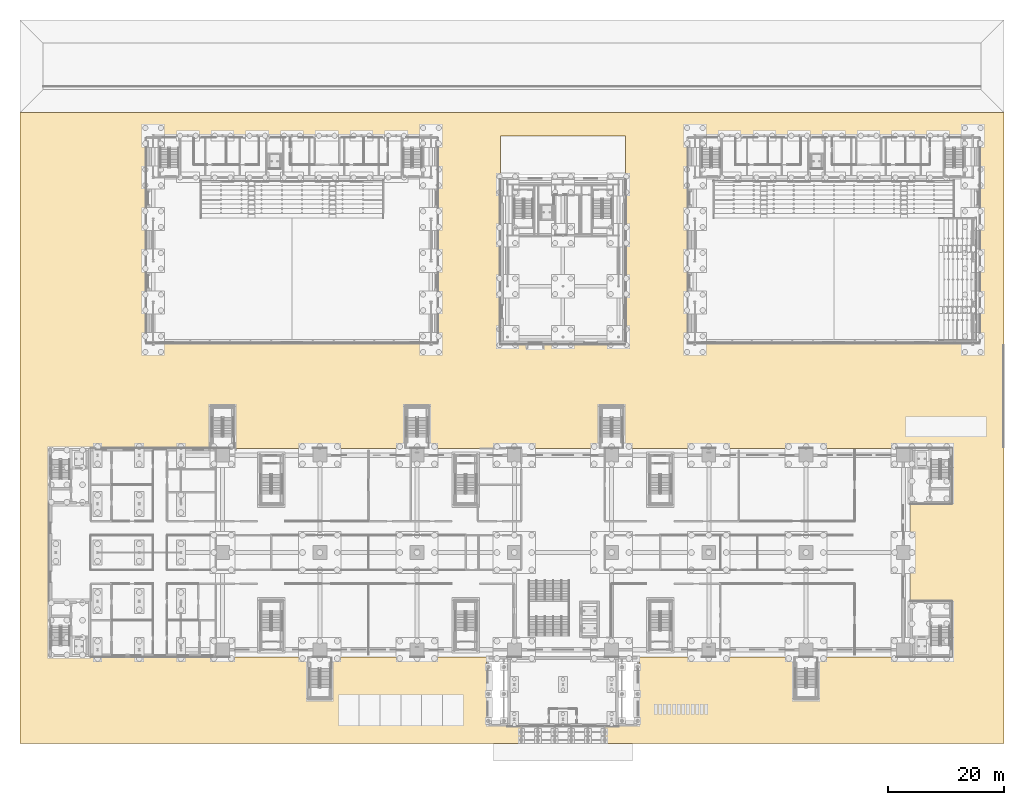
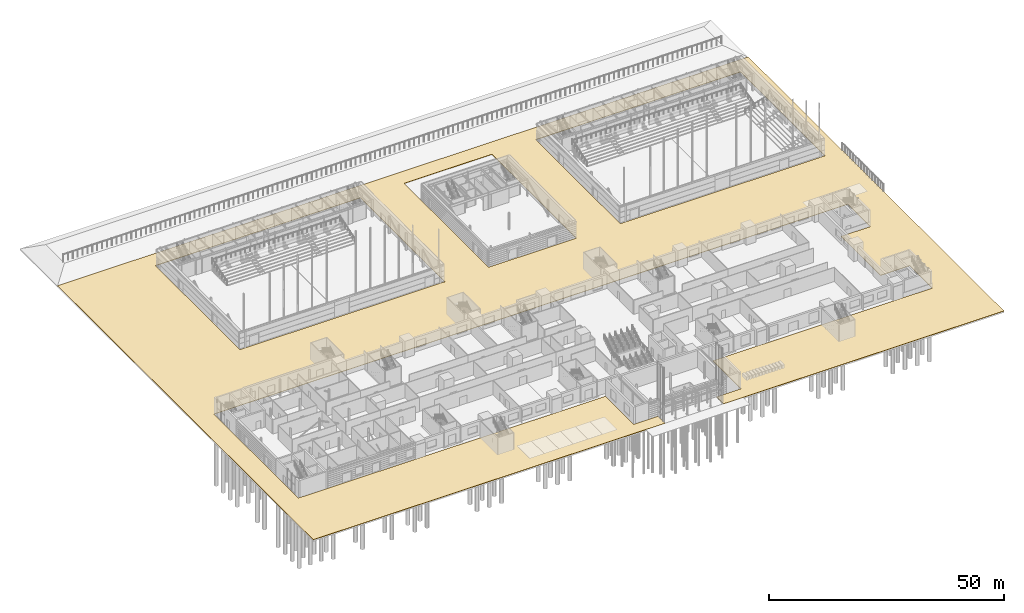
# One storey, part 120 of 139: 1 covering.
"""IFC4 building model written with IfcOpenShell, lengths in metres."""

from ifc_helpers import new_model, si_unit, direction, frame, origin, place, context, subcontext, project, spatial, polyline, outline, extrude, material, layer, layer_set, type_object, element, save


model = new_model("IFC4")

# Units and contexts
model_context = context("Model", 3, precision=1e-05, world=origin(), true_north=direction((0.0, 1.0)))
body_context = subcontext(model_context, "Body", "Model", "MODEL_VIEW")
ifc_project = project(units=[si_unit("LENGTHUNIT", "METRE"), si_unit("AREAUNIT", "SQUARE_METRE"), si_unit("VOLUMEUNIT", "CUBIC_METRE"), si_unit("PLANEANGLEUNIT", "RADIAN"), si_unit("MASSUNIT", "GRAM", prefix="KILO")], contexts=[model_context])

# Site, building, storey
site_placement = place(None, origin())
site = spatial("IfcSite", under=ifc_project, at=site_placement, CompositionType="ELEMENT")
building_placement = place(site_placement, origin())
building = spatial("IfcBuilding", under=site, at=building_placement, Name="Verrick Yard Athletic Hall", CompositionType="ELEMENT")
storey_placement = place(building_placement, origin())
storey = spatial("IfcBuildingStorey", under=building, at=storey_placement, Name="L00", CompositionType="ELEMENT", Elevation=0.0)

# Covering
ifc_material = material(Name="Concrete paving 35 MPa", Category="concrete")
ifc_layer = layer(ifc_material, 0.10009765625)
ifc_layer_set = layer_set([ifc_layer], Name="Site paving")
covering_type = type_object("IfcCoveringType", Name="Site paving", PredefinedType="USERDEFINED", material=ifc_layer_set)
covering_placement = place(storey_placement, frame((0.0, 0.0, -0.10009765625)))
element("IfcCovering", 1, at=covering_placement, inside=storey, type_object=covering_type, Name="Yard and site paving", ObjectType="PAVING", PredefinedType="USERDEFINED", context=body_context, shape_type="SweptSolid", body=[
    extrude(outline(polyline([(9.990478515625, 17.9970703125), (9.99072265625, 17.99609375), (9.9912109375, 17.995361328125), (9.99169921875, 17.994384765625), (9.9921875, 17.99365234375), (9.992919921875, 17.992919921875), (9.99365234375, 17.9921875), (9.994384765625, 17.99169921875), (9.995361328125, 17.9912109375), (9.99609375, 17.99072265625), (9.9970703125, 17.990478515625), (9.998046875, 17.990234375), (9.9990234375, 17.989990234375), (10.0, 17.989990234375), (85.590087890625, 17.989990234375), (85.590087890625, 6.0), (85.590087890625, 5.9990234375), (85.590087890625, 5.998046875), (85.59033203125, 5.9970703125), (85.5908203125, 5.99609375), (85.59130859375, 5.995361328125), (85.591796875, 5.994384765625), (85.59228515625, 5.99365234375), (85.593017578125, 5.992919921875), (85.59375, 5.9921875), (85.594482421875, 5.99169921875), (85.59521484375, 5.9912109375), (85.59619140625, 5.99072265625), (85.59716796875, 5.990478515625), (85.597900390625, 5.990234375), (85.59912109375, 5.989990234375), (85.60009765625, 5.989990234375), (91.590087890625, 5.989990234375), (91.590087890625, 3.0), (5.0, 3.0), (5.0, 112.0), (175.0, 112.0), (175.0, 3.0), (106.010009765625, 3.0), (106.010009765625, 5.989990234375), (112.0, 5.989990234375), (112.0009765625, 5.989990234375), (112.001953125, 5.990234375), (112.0029296875, 5.990478515625), (112.00390625, 5.99072265625), (112.004638671875, 5.9912109375), (112.005615234375, 5.99169921875), (112.00634765625, 5.9921875), (112.007080078125, 5.992919921875), (112.0078125, 5.99365234375), (112.00830078125, 5.994384765625), (112.0087890625, 5.995361328125), (112.00927734375, 5.99609375), (112.009521484375, 5.9970703125), (112.009765625, 5.998046875), (112.010009765625, 5.9990234375), (112.010009765625, 6.0), (112.010009765625, 17.989990234375), (166.0, 17.989990234375), (166.0009765625, 17.989990234375), (166.001953125, 17.990234375), (166.0029296875, 17.990478515625), (166.00390625, 17.99072265625), (166.004638671875, 17.9912109375), (166.005615234375, 17.99169921875), (166.00634765625, 17.9921875), (166.007080078125, 17.992919921875), (166.0078125, 17.99365234375), (166.00830078125, 17.994384765625), (166.0087890625, 17.995361328125), (166.00927734375, 17.99609375), (166.009521484375, 17.9970703125), (166.009765625, 17.998046875), (166.010009765625, 17.9990234375), (166.010009765625, 18.0), (166.010009765625, 27.60009765625), (166.010009765625, 27.60107421875), (166.009765625, 27.60205078125), (166.009521484375, 27.602783203125), (166.00927734375, 27.603759765625), (166.0087890625, 27.604736328125), (166.00830078125, 27.605712890625), (166.0078125, 27.606201171875), (166.007080078125, 27.607177734375), (166.00634765625, 27.607666015625), (166.005615234375, 27.6083984375), (166.004638671875, 27.60888671875), (166.00390625, 27.609130859375), (166.0029296875, 27.609619140625), (166.001953125, 27.60986328125), (166.0009765625, 27.610107421875), (166.0, 27.610107421875), (158.81005859375, 27.610107421875), (158.81005859375, 44.389892578125), (166.0, 44.389892578125), (166.0009765625, 44.389892578125), (166.001953125, 44.39013671875), (166.0029296875, 44.390380859375), (166.00390625, 44.390869140625), (166.004638671875, 44.39111328125), (166.005615234375, 44.3916015625), (166.00634765625, 44.392333984375), (166.007080078125, 44.392822265625), (166.0078125, 44.393798828125), (166.00830078125, 44.394287109375), (166.0087890625, 44.395263671875), (166.00927734375, 44.396240234375), (166.009521484375, 44.397216796875), (166.009765625, 44.39794921875), (166.010009765625, 44.39892578125), (166.010009765625, 44.39990234375), (166.010009765625, 54.0), (166.010009765625, 54.0009765625), (166.009765625, 54.001953125), (166.009521484375, 54.0029296875), (166.00927734375, 54.00390625), (166.0087890625, 54.004638671875), (166.00830078125, 54.005615234375), (166.0078125, 54.00634765625), (166.007080078125, 54.007080078125), (166.00634765625, 54.0078125), (166.005615234375, 54.00830078125), (166.004638671875, 54.0087890625), (166.00390625, 54.00927734375), (166.0029296875, 54.009521484375), (166.001953125, 54.009765625), (166.0009765625, 54.010009765625), (166.0, 54.010009765625), (10.0, 54.010009765625), (9.9990234375, 54.010009765625), (9.998046875, 54.009765625), (9.9970703125, 54.009521484375), (9.99609375, 54.00927734375), (9.995361328125, 54.0087890625), (9.994384765625, 54.00830078125), (9.99365234375, 54.0078125), (9.992919921875, 54.007080078125), (9.9921875, 54.00634765625), (9.99169921875, 54.005615234375), (9.9912109375, 54.004638671875), (9.99072265625, 54.00390625), (9.990478515625, 54.0029296875), (9.990234375, 54.001953125), (9.989990234375, 54.0009765625), (9.989990234375, 54.0), (9.989990234375, 18.0), (9.989990234375, 17.9990234375), (9.990234375, 17.998046875), (9.990478515625, 17.9970703125)]), holes=[polyline([(26.790283203125, 71.998046875), (26.790283203125, 71.9970703125), (26.790771484375, 71.99609375), (26.791259765625, 71.995361328125), (26.791748046875, 71.994384765625), (26.792236328125, 71.99365234375), (26.79296875, 71.992919921875), (26.793701171875, 71.9921875), (26.79443359375, 71.99169921875), (26.79541015625, 71.9912109375), (26.796142578125, 71.99072265625), (26.797119140625, 71.990478515625), (26.798095703125, 71.990234375), (26.799072265625, 71.989990234375), (26.800048828125, 71.989990234375), (77.199951171875, 71.989990234375), (77.200927734375, 71.989990234375), (77.201904296875, 71.990234375), (77.202880859375, 71.990478515625), (77.203857421875, 71.99072265625), (77.20458984375, 71.9912109375), (77.20556640625, 71.99169921875), (77.206298828125, 71.9921875), (77.20703125, 71.992919921875), (77.207763671875, 71.99365234375), (77.208251953125, 71.994384765625), (77.208740234375, 71.995361328125), (77.209228515625, 71.99609375), (77.209716796875, 71.9970703125), (77.209716796875, 71.998046875), (77.2099609375, 71.9990234375), (77.2099609375, 72.0), (77.2099609375, 108.0), (77.2099609375, 108.0009765625), (77.209716796875, 108.001953125), (77.209716796875, 108.0029296875), (77.209228515625, 108.00390625), (77.208740234375, 108.004638671875), (77.208251953125, 108.005615234375), (77.207763671875, 108.00634765625), (77.20703125, 108.007080078125), (77.206298828125, 108.0078125), (77.20556640625, 108.00830078125), (77.20458984375, 108.0087890625), (77.203857421875, 108.00927734375), (77.202880859375, 108.009521484375), (77.201904296875, 108.009765625), (77.200927734375, 108.010009765625), (77.199951171875, 108.010009765625), (26.800048828125, 108.010009765625), (26.799072265625, 108.010009765625), (26.798095703125, 108.009765625), (26.797119140625, 108.009521484375), (26.796142578125, 108.00927734375), (26.79541015625, 108.0087890625), (26.79443359375, 108.00830078125), (26.793701171875, 108.0078125), (26.79296875, 108.007080078125), (26.792236328125, 108.00634765625), (26.791748046875, 108.005615234375), (26.791259765625, 108.004638671875), (26.790771484375, 108.00390625), (26.790283203125, 108.0029296875), (26.790283203125, 108.001953125), (26.7900390625, 108.0009765625), (26.7900390625, 108.0), (26.7900390625, 72.0), (26.7900390625, 71.9990234375), (26.790283203125, 71.998046875)]), polyline([(87.990234375, 71.998046875), (87.990478515625, 71.9970703125), (87.99072265625, 71.99609375), (87.9912109375, 71.995361328125), (87.99169921875, 71.994384765625), (87.9921875, 71.99365234375), (87.992919921875, 71.992919921875), (87.99365234375, 71.9921875), (87.994384765625, 71.99169921875), (87.995361328125, 71.9912109375), (87.99609375, 71.99072265625), (87.9970703125, 71.990478515625), (87.998046875, 71.990234375), (87.9990234375, 71.989990234375), (88.0, 71.989990234375), (109.60009765625, 71.989990234375), (109.60107421875, 71.989990234375), (109.60205078125, 71.990234375), (109.602783203125, 71.990478515625), (109.603759765625, 71.99072265625), (109.604736328125, 71.9912109375), (109.605712890625, 71.99169921875), (109.606201171875, 71.9921875), (109.607177734375, 71.992919921875), (109.607666015625, 71.99365234375), (109.6083984375, 71.994384765625), (109.60888671875, 71.995361328125), (109.609130859375, 71.99609375), (109.609619140625, 71.9970703125), (109.60986328125, 71.998046875), (109.610107421875, 71.9990234375), (109.610107421875, 72.0), (109.610107421875, 100.800048828125), (109.610107421875, 100.801025390625), (109.60986328125, 100.802001953125), (109.609619140625, 100.802978515625), (109.609130859375, 100.8037109375), (109.60888671875, 100.8046875), (109.6083984375, 100.8056640625), (109.607666015625, 100.806396484375), (109.607177734375, 100.80712890625), (109.606201171875, 100.8076171875), (109.605712890625, 100.808349609375), (109.604736328125, 100.808837890625), (109.603759765625, 100.80908203125), (109.602783203125, 100.8095703125), (109.60205078125, 100.809814453125), (109.60107421875, 100.81005859375), (109.60009765625, 100.81005859375), (109.60009765625, 108.0), (88.0, 108.0), (88.0, 100.81005859375), (87.9990234375, 100.81005859375), (87.998046875, 100.809814453125), (87.9970703125, 100.8095703125), (87.99609375, 100.80908203125), (87.995361328125, 100.808837890625), (87.994384765625, 100.808349609375), (87.99365234375, 100.8076171875), (87.992919921875, 100.80712890625), (87.9921875, 100.806396484375), (87.99169921875, 100.8056640625), (87.9912109375, 100.8046875), (87.99072265625, 100.8037109375), (87.990478515625, 100.802978515625), (87.990234375, 100.802001953125), (87.989990234375, 100.801025390625), (87.989990234375, 100.800048828125), (87.989990234375, 72.0), (87.989990234375, 71.9990234375), (87.990234375, 71.998046875)]), polyline([(120.39013671875, 71.998046875), (120.390380859375, 71.9970703125), (120.390869140625, 71.99609375), (120.39111328125, 71.995361328125), (120.3916015625, 71.994384765625), (120.392333984375, 71.99365234375), (120.392822265625, 71.992919921875), (120.393798828125, 71.9921875), (120.394287109375, 71.99169921875), (120.395263671875, 71.9912109375), (120.396240234375, 71.99072265625), (120.397216796875, 71.990478515625), (120.39794921875, 71.990234375), (120.39892578125, 71.989990234375), (120.39990234375, 71.989990234375), (170.800048828125, 71.989990234375), (170.801025390625, 71.989990234375), (170.802001953125, 71.990234375), (170.802978515625, 71.990478515625), (170.8037109375, 71.99072265625), (170.8046875, 71.9912109375), (170.8056640625, 71.99169921875), (170.806396484375, 71.9921875), (170.80712890625, 71.992919921875), (170.8076171875, 71.99365234375), (170.808349609375, 71.994384765625), (170.808837890625, 71.995361328125), (170.80908203125, 71.99609375), (170.8095703125, 71.9970703125), (170.809814453125, 71.998046875), (170.81005859375, 71.9990234375), (170.81005859375, 72.0), (170.81005859375, 108.0), (170.81005859375, 108.0009765625), (170.809814453125, 108.001953125), (170.8095703125, 108.0029296875), (170.80908203125, 108.00390625), (170.808837890625, 108.004638671875), (170.808349609375, 108.005615234375), (170.8076171875, 108.00634765625), (170.80712890625, 108.007080078125), (170.806396484375, 108.0078125), (170.8056640625, 108.00830078125), (170.8046875, 108.0087890625), (170.8037109375, 108.00927734375), (170.802978515625, 108.009521484375), (170.802001953125, 108.009765625), (170.801025390625, 108.010009765625), (170.800048828125, 108.010009765625), (120.39990234375, 108.010009765625), (120.39892578125, 108.010009765625), (120.39794921875, 108.009765625), (120.397216796875, 108.009521484375), (120.396240234375, 108.00927734375), (120.395263671875, 108.0087890625), (120.394287109375, 108.00830078125), (120.393798828125, 108.0078125), (120.392822265625, 108.007080078125), (120.392333984375, 108.00634765625), (120.3916015625, 108.005615234375), (120.39111328125, 108.004638671875), (120.390869140625, 108.00390625), (120.390380859375, 108.0029296875), (120.39013671875, 108.001953125), (120.389892578125, 108.0009765625), (120.389892578125, 108.0), (120.389892578125, 72.0), (120.389892578125, 71.9990234375), (120.39013671875, 71.998046875)])]), origin(), (0.0, 0.0, 1.0), 0.10009765625),
])

save(model, "model.ifc")
